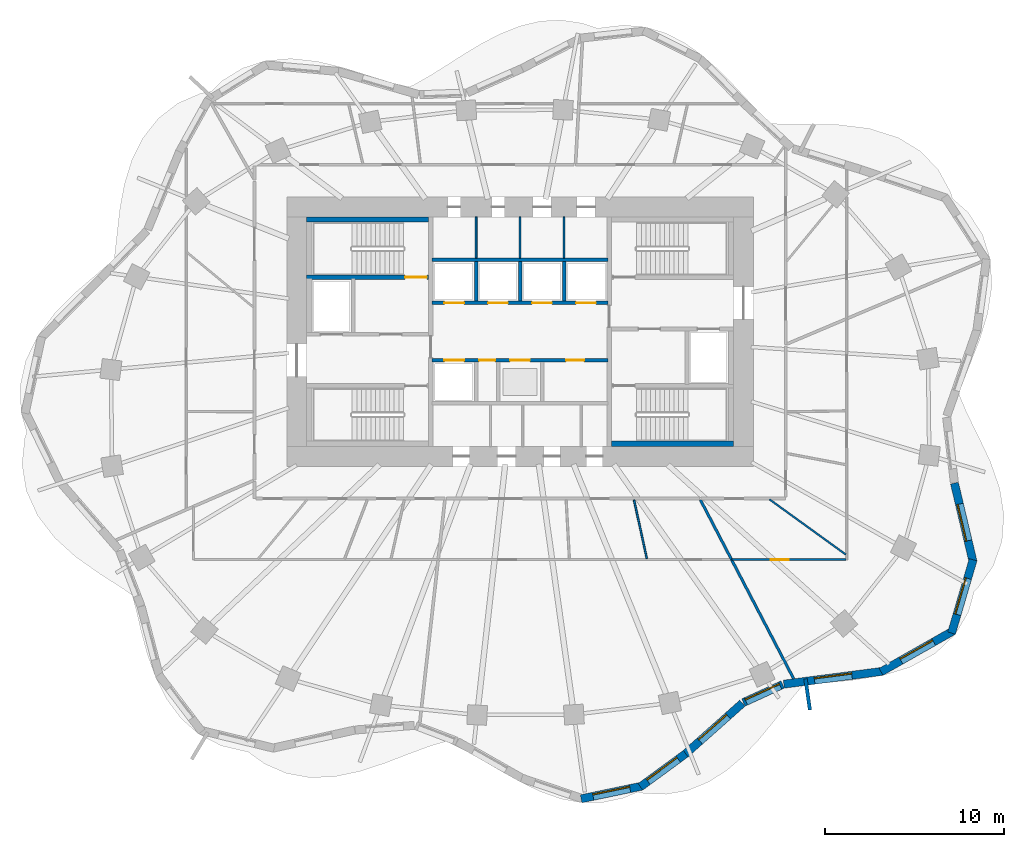
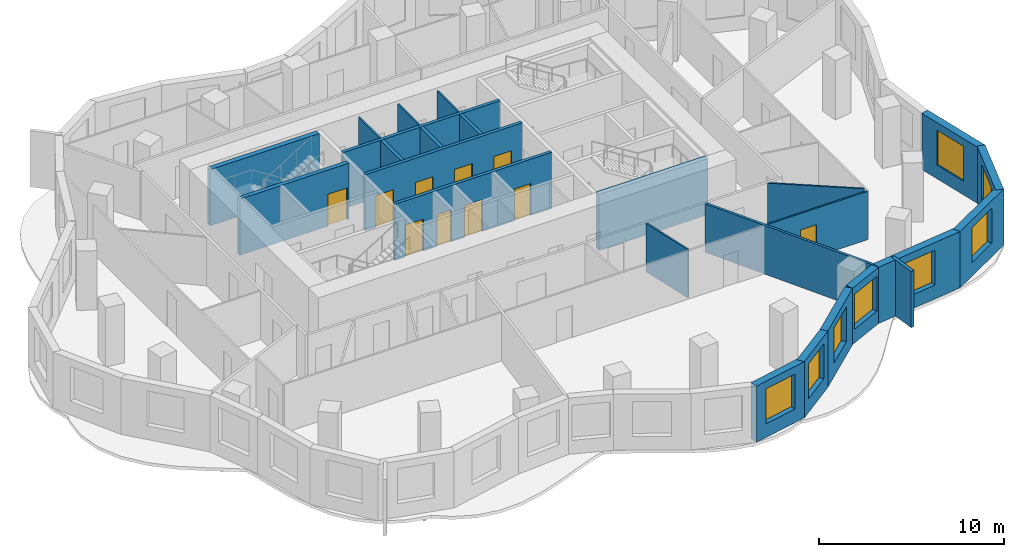
# One storey, part 5 of 10: 25 walls, 10 doors, 8 windows, 18 openings.
"""IFC4 building model written with IfcOpenShell, lengths in metres."""

from ifc_helpers import new_model, si_unit, direction, frame, frame_2d, origin, place, context, subcontext, project, spatial, rectangle, extrude, material, layer, layer_set, type_object, element, fill, save


model = new_model("IFC4")

# Units and contexts
model_context = context("Model", 3, precision=1e-05, world=origin(), true_north=direction((0.0, 1.0)))
body_context = subcontext(model_context, "Body", "Model", "MODEL_VIEW")
ifc_project = project(units=[si_unit("LENGTHUNIT", "METRE"), si_unit("AREAUNIT", "SQUARE_METRE"), si_unit("VOLUMEUNIT", "CUBIC_METRE"), si_unit("PLANEANGLEUNIT", "RADIAN"), si_unit("MASSUNIT", "GRAM", prefix="KILO")], contexts=[model_context])

# Site, building, storey
site_placement = place(None, origin())
site = spatial("IfcSite", under=ifc_project, at=site_placement, CompositionType="ELEMENT")
building_placement = place(site_placement, origin())
building = spatial("IfcBuilding", under=site, at=building_placement, Name="Rubra Terraces Tower", CompositionType="ELEMENT")
storey_placement = place(building_placement, frame((0.0, 0.0, 134.39990234375)))
storey = spatial("IfcBuildingStorey", under=building, at=storey_placement, Name="L32", CompositionType="ELEMENT", Elevation=134.39990234375)

# Wall, opening, window
ifc_material_1 = material(Name="Brick masonry red-brown", Category="masonry")
ifc_layer_1 = layer(ifc_material_1, 0.449951171875)
ifc_layer_set_1 = layer_set([ifc_layer_1], Name="Brick masonry red-brown")
wall_type_1 = type_object("IfcWallType", Name="Brick facade wall 450", PredefinedType="SOLIDWALL", material=ifc_layer_set_1)
wall_1_placement = place(storey_placement, frame((3.39892578125, -21.53173828125, 0.0), z_axis=(0.0, 0.0, 1.0), x_axis=(0.978915912181, 0.204263645512, 0.0)))
wall_1 = element("IfcWall", 1, at=wall_1_placement, inside=storey, type_object=wall_type_1, Name="Facade wall L32 bay 32", PredefinedType="SOLIDWALL", context=body_context, shape_type="SweptSolid", body=[
    extrude(rectangle(XDim=3.466064453125, YDim=0.449951171875, at=frame_2d((1.73291015625, 0.0))), origin(), (0.0, 0.0, 1.0), 3.7001953125),
])
opening_1_placement = place(wall_1_placement, frame((0.68310546875, 0.0, 0.89990234375)))
opening_1 = element("IfcOpeningElement", 2, at=opening_1_placement, cuts=wall_1, Name="Opening W1B", PredefinedType="OPENING", context=body_context, shape_type="SweptSolid", body=[
    extrude(rectangle(XDim=2.10009765625, YDim=2.300048828125, at=frame_2d((1.050048828125, 1.14990234375))), frame((0.0, 0.23486328125, 0.0), z_axis=(0.0, -1.0, 0.0), x_axis=(1.0, 0.0, 0.0)), (0.0, 0.0, 1.0), 0.469970703125),
])
ifc_material_2 = material(Name="Clear glass in aluminium frame", Category="aluminium")
window_type = type_object("IfcWindowType", Name="Fixed deep-set window tall storey 2100 x 2300", PartitioningType="SINGLE_PANEL", PredefinedType="WINDOW", material=ifc_material_2)
window_1_placement = place(opening_1_placement, origin())
window_1 = element("IfcWindow", 3, at=window_1_placement, inside=storey, type_object=window_type, Name="Window L32 bay 32", OverallHeight=2.300048828125, OverallWidth=2.10009765625, PartitioningType="SINGLE_PANEL", PredefinedType="WINDOW", context=body_context, shape_type="SweptSolid", body=[
    extrude(rectangle(XDim=2.10009765625, YDim=2.300048828125, at=frame_2d((1.050048828125, 1.14990234375))), frame((0.0, 0.135009765625, 0.0), z_axis=(0.0, -1.0, 0.0), x_axis=(1.0, 0.0, 0.0)), (0.0, 0.0, 1.0), 0.06005859375),
])
fill(opening_1, window_1)

wall_2_placement = place(storey_placement, frame((6.705078125, -20.8623046875, 0.0), z_axis=(0.0, 0.0, 1.0), x_axis=(0.806921336267, 0.590658917716, 0.0)))
wall_2 = element("IfcWall", 4, at=wall_2_placement, inside=storey, type_object=wall_type_1, Name="Facade wall L32 bay 33", PredefinedType="SOLIDWALL", context=body_context, shape_type="SweptSolid", body=[
    extrude(rectangle(XDim=3.124755859375, YDim=0.449951171875, at=frame_2d((1.5625, 0.0))), origin(), (0.0, 0.0, 1.0), 3.7001953125),
])
opening_2_placement = place(wall_2_placement, frame((0.512451171875, 0.0, 0.89990234375)))
opening_2 = element("IfcOpeningElement", 5, at=opening_2_placement, cuts=wall_2, Name="Opening W1B", PredefinedType="OPENING", context=body_context, shape_type="SweptSolid", body=[
    extrude(rectangle(XDim=2.10009765625, YDim=2.300048828125, at=frame_2d((1.050048828125, 1.14990234375))), frame((0.0, 0.23486328125, 0.0), z_axis=(0.0, -1.0, 0.0), x_axis=(1.0, 0.0, 0.0)), (0.0, 0.0, 1.0), 0.469970703125),
])
window_2_placement = place(opening_2_placement, origin())
window_2 = element("IfcWindow", 6, at=window_2_placement, inside=storey, type_object=window_type, Name="Window L32 bay 33", OverallHeight=2.300048828125, OverallWidth=2.10009765625, PartitioningType="SINGLE_PANEL", PredefinedType="WINDOW", context=body_context, shape_type="SweptSolid", body=[
    extrude(rectangle(XDim=2.10009765625, YDim=2.300048828125, at=frame_2d((1.050048828125, 1.14990234375))), frame((0.0, 0.135009765625, 0.0), z_axis=(0.0, -1.0, 0.0), x_axis=(1.0, 0.0, 0.0)), (0.0, 0.0, 1.0), 0.06005859375),
])
fill(opening_2, window_2)

wall_3_placement = place(storey_placement, frame((9.2099609375, -19.030029296875, 0.0), z_axis=(0.0, 0.0, 1.0), x_axis=(0.747396648191, 0.664378092861, 0.0)))
wall_3 = element("IfcWall", 7, at=wall_3_placement, inside=storey, type_object=wall_type_1, Name="Facade wall L32 bay 34", PredefinedType="SOLIDWALL", context=body_context, shape_type="SweptSolid", body=[
    extrude(rectangle(XDim=4.25244140625, YDim=0.449951171875, at=frame_2d((2.126220703125, 0.0))), origin(), (0.0, 0.0, 1.0), 3.7001953125),
])
opening_3_placement = place(wall_3_placement, frame((1.076171875, 0.0, 0.89990234375)))
opening_3 = element("IfcOpeningElement", 8, at=opening_3_placement, cuts=wall_3, Name="Opening W1B", PredefinedType="OPENING", context=body_context, shape_type="SweptSolid", body=[
    extrude(rectangle(XDim=2.10009765625, YDim=2.300048828125, at=frame_2d((1.050048828125, 1.14990234375))), frame((0.0, 0.23486328125, 0.0), z_axis=(0.0, -1.0, 0.0), x_axis=(1.0, 0.0, 0.0)), (0.0, 0.0, 1.0), 0.469970703125),
])
window_3_placement = place(opening_3_placement, origin())
window_3 = element("IfcWindow", 9, at=window_3_placement, inside=storey, type_object=window_type, Name="Window L32 bay 34", OverallHeight=2.300048828125, OverallWidth=2.10009765625, PartitioningType="SINGLE_PANEL", PredefinedType="WINDOW", context=body_context, shape_type="SweptSolid", body=[
    extrude(rectangle(XDim=2.10009765625, YDim=2.300048828125, at=frame_2d((1.050048828125, 1.14990234375))), frame((0.0, 0.135009765625, 0.0), z_axis=(0.0, -1.0, 0.0), x_axis=(1.0, 0.0, 0.0)), (0.0, 0.0, 1.0), 0.06005859375),
])
fill(opening_3, window_3)

wall_4_placement = place(storey_placement, frame((12.443603515625, -16.168701171875, 0.0), z_axis=(0.0, 0.0, 1.0), x_axis=(0.908468904074, 0.417952449844, 0.0)))
wall_4 = element("IfcWall", 10, at=wall_4_placement, inside=storey, type_object=wall_type_1, Name="Facade wall L32 bay 35", PredefinedType="SOLIDWALL", context=body_context, shape_type="SweptSolid", body=[
    extrude(rectangle(XDim=2.408935546875, YDim=0.449951171875, at=frame_2d((1.20458984375, 0.0))), origin(), (0.0, 0.0, 1.0), 3.7001953125),
])
opening_4_placement = place(wall_4_placement, frame((0.154541015625, 0.0, 0.89990234375)))
opening_4 = element("IfcOpeningElement", 11, at=opening_4_placement, cuts=wall_4, Name="Opening W1B", PredefinedType="OPENING", context=body_context, shape_type="SweptSolid", body=[
    extrude(rectangle(XDim=2.10009765625, YDim=2.300048828125, at=frame_2d((1.050048828125, 1.14990234375))), frame((0.0, 0.23486328125, 0.0), z_axis=(0.0, -1.0, 0.0), x_axis=(1.0, 0.0, 0.0)), (0.0, 0.0, 1.0), 0.469970703125),
])
window_4_placement = place(opening_4_placement, origin())
window_4 = element("IfcWindow", 12, at=window_4_placement, inside=storey, type_object=window_type, Name="Window L32 bay 35", OverallHeight=2.300048828125, OverallWidth=2.10009765625, PartitioningType="SINGLE_PANEL", PredefinedType="WINDOW", context=body_context, shape_type="SweptSolid", body=[
    extrude(rectangle(XDim=2.10009765625, YDim=2.300048828125, at=frame_2d((1.050048828125, 1.14990234375))), frame((0.0, 0.135009765625, 0.0), z_axis=(0.0, -1.0, 0.0), x_axis=(1.0, 0.0, 0.0)), (0.0, 0.0, 1.0), 0.06005859375),
])
fill(opening_4, window_4)

wall_5_placement = place(storey_placement, frame((14.697265625, -15.143310546875, 0.0), z_axis=(0.0, 0.0, 1.0), x_axis=(0.991631798411, 0.129098320597, 0.0)))
wall_5 = element("IfcWall", 13, at=wall_5_placement, inside=storey, type_object=wall_type_1, Name="Facade wall L32 bay 36", PredefinedType="SOLIDWALL", context=body_context, shape_type="SweptSolid", body=[
    extrude(rectangle(XDim=5.546630859375, YDim=0.449951171875, at=frame_2d((2.7734375, 0.0))), origin(), (0.0, 0.0, 1.0), 3.7001953125),
])
opening_5_placement = place(wall_5_placement, frame((1.723388671875, 0.0, 0.89990234375)))
opening_5 = element("IfcOpeningElement", 14, at=opening_5_placement, cuts=wall_5, Name="Opening W1B", PredefinedType="OPENING", context=body_context, shape_type="SweptSolid", body=[
    extrude(rectangle(XDim=2.10009765625, YDim=2.300048828125, at=frame_2d((1.050048828125, 1.14990234375))), frame((0.0, 0.23486328125, 0.0), z_axis=(0.0, -1.0, 0.0), x_axis=(1.0, 0.0, 0.0)), (0.0, 0.0, 1.0), 0.469970703125),
])
window_5_placement = place(opening_5_placement, origin())
window_5 = element("IfcWindow", 15, at=window_5_placement, inside=storey, type_object=window_type, Name="Window L32 bay 36", OverallHeight=2.300048828125, OverallWidth=2.10009765625, PartitioningType="SINGLE_PANEL", PredefinedType="WINDOW", context=body_context, shape_type="SweptSolid", body=[
    extrude(rectangle(XDim=2.10009765625, YDim=2.300048828125, at=frame_2d((1.050048828125, 1.14990234375))), frame((0.0, 0.135009765625, 0.0), z_axis=(0.0, -1.0, 0.0), x_axis=(1.0, 0.0, 0.0)), (0.0, 0.0, 1.0), 0.06005859375),
])
fill(opening_5, window_5)

wall_6_placement = place(storey_placement, frame((20.115478515625, -14.45458984375, 0.0), z_axis=(0.0, 0.0, 1.0), x_axis=(0.869822679286, 0.493364476427, 0.0)))
wall_6 = element("IfcWall", 16, at=wall_6_placement, inside=storey, type_object=wall_type_1, Name="Facade wall L32 bay 37", PredefinedType="SOLIDWALL", context=body_context, shape_type="SweptSolid", body=[
    extrude(rectangle(XDim=4.63818359375, YDim=0.449951171875, at=frame_2d((2.319091796875, 0.0))), origin(), (0.0, 0.0, 1.0), 3.7001953125),
])
opening_6_placement = place(wall_6_placement, frame((1.26904296875, 0.0, 0.89990234375)))
opening_6 = element("IfcOpeningElement", 17, at=opening_6_placement, cuts=wall_6, Name="Opening W1B", PredefinedType="OPENING", context=body_context, shape_type="SweptSolid", body=[
    extrude(rectangle(XDim=2.10009765625, YDim=2.300048828125, at=frame_2d((1.050048828125, 1.14990234375))), frame((0.0, 0.23486328125, 0.0), z_axis=(0.0, -1.0, 0.0), x_axis=(1.0, 0.0, 0.0)), (0.0, 0.0, 1.0), 0.469970703125),
])
window_6_placement = place(opening_6_placement, origin())
window_6 = element("IfcWindow", 18, at=window_6_placement, inside=storey, type_object=window_type, Name="Window L32 bay 37", OverallHeight=2.300048828125, OverallWidth=2.10009765625, PartitioningType="SINGLE_PANEL", PredefinedType="WINDOW", context=body_context, shape_type="SweptSolid", body=[
    extrude(rectangle(XDim=2.10009765625, YDim=2.300048828125, at=frame_2d((1.050048828125, 1.14990234375))), frame((0.0, 0.135009765625, 0.0), z_axis=(0.0, -1.0, 0.0), x_axis=(1.0, 0.0, 0.0)), (0.0, 0.0, 1.0), 0.06005859375),
])
fill(opening_6, window_6)

wall_7_placement = place(storey_placement, frame((24.045166015625, -12.298583984375, 0.0), z_axis=(0.0, 0.0, 1.0), x_axis=(0.281381418228, 0.95959600743, 0.0)))
wall_7 = element("IfcWall", 19, at=wall_7_placement, inside=storey, type_object=wall_type_1, Name="Facade wall L32 bay 38", PredefinedType="SOLIDWALL", context=body_context, shape_type="SweptSolid", body=[
    extrude(rectangle(XDim=4.260986328125, YDim=0.449951171875, at=frame_2d((2.13037109375, 0.0))), origin(), (0.0, 0.0, 1.0), 3.7001953125),
])
opening_7_placement = place(wall_7_placement, frame((1.08056640625, 0.0, 0.89990234375)))
opening_7 = element("IfcOpeningElement", 20, at=opening_7_placement, cuts=wall_7, Name="Opening W1B", PredefinedType="OPENING", context=body_context, shape_type="SweptSolid", body=[
    extrude(rectangle(XDim=2.10009765625, YDim=2.300048828125, at=frame_2d((1.050048828125, 1.14990234375))), frame((0.0, 0.23486328125, 0.0), z_axis=(0.0, -1.0, 0.0), x_axis=(1.0, 0.0, 0.0)), (0.0, 0.0, 1.0), 0.469970703125),
])
window_7_placement = place(opening_7_placement, origin())
window_7 = element("IfcWindow", 21, at=window_7_placement, inside=storey, type_object=window_type, Name="Window L32 bay 38", OverallHeight=2.300048828125, OverallWidth=2.10009765625, PartitioningType="SINGLE_PANEL", PredefinedType="WINDOW", context=body_context, shape_type="SweptSolid", body=[
    extrude(rectangle(XDim=2.10009765625, YDim=2.300048828125, at=frame_2d((1.050048828125, 1.14990234375))), frame((0.0, 0.135009765625, 0.0), z_axis=(0.0, -1.0, 0.0), x_axis=(1.0, 0.0, 0.0)), (0.0, 0.0, 1.0), 0.06005859375),
])
fill(opening_7, window_7)

wall_8_placement = place(storey_placement, frame((25.23974609375, -8.3193359375, 0.0), z_axis=(0.0, 0.0, 1.0), x_axis=(-0.230037604827, 0.973181740666, 0.0)))
wall_8 = element("IfcWall", 22, at=wall_8_placement, inside=storey, type_object=wall_type_1, Name="Facade wall L32 bay 39", PredefinedType="SOLIDWALL", context=body_context, shape_type="SweptSolid", body=[
    extrude(rectangle(XDim=4.497802734375, YDim=0.449951171875, at=frame_2d((2.2490234375, 0.0))), origin(), (0.0, 0.0, 1.0), 3.7001953125),
])
opening_8_placement = place(wall_8_placement, frame((1.198974609375, 0.0, 0.89990234375)))
opening_8 = element("IfcOpeningElement", 23, at=opening_8_placement, cuts=wall_8, Name="Opening W1B", PredefinedType="OPENING", context=body_context, shape_type="SweptSolid", body=[
    extrude(rectangle(XDim=2.10009765625, YDim=2.300048828125, at=frame_2d((1.050048828125, 1.14990234375))), frame((0.0, 0.23486328125, 0.0), z_axis=(0.0, -1.0, 0.0), x_axis=(1.0, 0.0, 0.0)), (0.0, 0.0, 1.0), 0.469970703125),
])
window_8_placement = place(opening_8_placement, origin())
window_8 = element("IfcWindow", 24, at=window_8_placement, inside=storey, type_object=window_type, Name="Window L32 bay 39", OverallHeight=2.300048828125, OverallWidth=2.10009765625, PartitioningType="SINGLE_PANEL", PredefinedType="WINDOW", context=body_context, shape_type="SweptSolid", body=[
    extrude(rectangle(XDim=2.10009765625, YDim=2.300048828125, at=frame_2d((1.050048828125, 1.14990234375))), frame((0.0, 0.135009765625, 0.0), z_axis=(0.0, -1.0, 0.0), x_axis=(1.0, 0.0, 0.0)), (0.0, 0.0, 1.0), 0.06005859375),
])
fill(opening_8, window_8)

# Walls
ifc_layer_2 = layer(ifc_material_1, 0.199951171875)
ifc_layer_set_2 = layer_set([ifc_layer_2], Name="Brick masonry red-brown")
wall_type_2 = type_object("IfcWallType", Name="Brick wind fin 200", PredefinedType="SOLIDWALL", material=ifc_layer_set_2)
wall_9_placement = place(storey_placement, frame((15.905029296875, -14.85009765625, 0.0), z_axis=(0.0, 0.0, 1.0), x_axis=(0.140913490987, -0.990021912918, 0.0)))
element("IfcWall", 25, at=wall_9_placement, inside=storey, type_object=wall_type_2, Name="Wind fin L32 18", PredefinedType="SOLIDWALL", context=body_context, shape_type="SweptSolid", body=[
    extrude(rectangle(XDim=1.75, YDim=0.199951171875, at=frame_2d((0.875, 0.0))), origin(), (0.0, 0.0, 1.0), 3.7001953125),
])
ifc_material_3 = material(Name="Concrete C40", Category="concrete")
ifc_layer_3 = layer(ifc_material_3, 0.300048828125)
ifc_layer_set_3 = layer_set([ifc_layer_3], Name="Concrete C40")
wall_type_3 = type_object("IfcWallType", Name="Core lining wall 300 concrete", PredefinedType="SOLIDWALL", material=ifc_layer_set_3)
for number, where, z_axis, x_axis, name in (
    (26, (-11.89990234375, 10.75, 0.0), (0.0, 0.0, 1.0), (1.0, 0.0, 0.0), "CORE LINING WALL L32"),
    (27, (11.89990234375, -1.75, 0.0), (0.0, 0.0, 1.0), (-1.0, 0.0, 0.0), "CORE LINING WALL L32"),
):
    element("IfcWall", number, at=place(storey_placement, frame(where, z_axis=z_axis, x_axis=x_axis)), inside=storey, type_object=wall_type_3, Name=name, PredefinedType="SOLIDWALL", context=body_context, shape_type="SweptSolid", body=[
        extrude(rectangle(XDim=6.7998046875, YDim=0.300048828125, at=frame_2d((3.39990234375, 0.0))), origin(), (0.0, 0.0, 1.0), 3.7001953125),
    ])

# Wall, openings, doors
ifc_material_4 = material(Name="Concrete C30", Category="concrete")
ifc_layer_4 = layer(ifc_material_4, 0.199951171875)
ifc_layer_set_4 = layer_set([ifc_layer_4], Name="Concrete C30")
wall_type_4 = type_object("IfcWallType", Name="Core wall 200 concrete", PredefinedType="SOLIDWALL", material=ifc_layer_set_4)
wall_10_placement = place(storey_placement, frame((-4.89990234375, 2.89990234375, 0.0), z_axis=(0.0, 0.0, 1.0), x_axis=(1.0, 0.0, 0.0)))
wall_10 = element("IfcWall", 28, at=wall_10_placement, inside=storey, type_object=wall_type_4, Name="LIFT SHAFT WALL L32", PredefinedType="SOLIDWALL", context=body_context, shape_type="SweptSolid", body=[
    extrude(rectangle(XDim=9.7998046875, YDim=0.199951171875, at=frame_2d((4.89990234375, 0.0))), origin(), (0.0, 0.0, 1.0), 3.7001953125),
])
opening_9_placement = place(wall_10_placement, frame((0.675048828125, 0.0, 0.0)))
opening_9 = element("IfcOpeningElement", 29, at=opening_9_placement, cuts=wall_10, Name="Opening L32.C13", PredefinedType="OPENING", context=body_context, shape_type="SweptSolid", body=[
    extrude(rectangle(XDim=1.10009765625, YDim=2.10009765625, at=frame_2d((0.550048828125, 1.050048828125))), frame((0.0, 0.10986328125, 0.0), z_axis=(0.0, -1.0, 0.0), x_axis=(1.0, 0.0, 0.0)), (0.0, 0.0, 1.0), 0.219970703125),
])
opening_10_placement = place(wall_10_placement, frame((2.613037109375, 0.0, 0.0)))
opening_10 = element("IfcOpeningElement", 30, at=opening_10_placement, cuts=wall_10, Name="Opening L32.C14", PredefinedType="OPENING", context=body_context, shape_type="SweptSolid", body=[
    extrude(rectangle(XDim=0.89990234375, YDim=2.10009765625, at=frame_2d((0.449951171875, 1.050048828125))), frame((0.0, 0.10986328125, 0.0), z_axis=(0.0, -1.0, 0.0), x_axis=(1.0, 0.0, 0.0)), (0.0, 0.0, 1.0), 0.219970703125),
])
opening_11_placement = place(wall_10_placement, frame((4.35009765625, 0.0, 0.0)))
opening_11 = element("IfcOpeningElement", 31, at=opening_11_placement, cuts=wall_10, Name="Opening L32.C15", PredefinedType="OPENING", context=body_context, shape_type="SweptSolid", body=[
    extrude(rectangle(XDim=1.10009765625, YDim=2.10009765625, at=frame_2d((0.550048828125, 1.050048828125))), frame((0.0, 0.10986328125, 0.0), z_axis=(0.0, -1.0, 0.0), x_axis=(1.0, 0.0, 0.0)), (0.0, 0.0, 1.0), 0.219970703125),
])
opening_12_placement = place(wall_10_placement, frame((7.462890625, 0.0, 0.0)))
opening_12 = element("IfcOpeningElement", 32, at=opening_12_placement, cuts=wall_10, Name="Opening L32.C16", PredefinedType="OPENING", context=body_context, shape_type="SweptSolid", body=[
    extrude(rectangle(XDim=1.0, YDim=2.10009765625, at=frame_2d((0.5, 1.050048828125))), frame((0.0, 0.10986328125, 0.0), z_axis=(0.0, -1.0, 0.0), x_axis=(1.0, 0.0, 0.0)), (0.0, 0.0, 1.0), 0.219970703125),
])
ifc_material_5 = material(Name="Painted steel", Category="steel")
door_type_1 = type_object("IfcDoorType", Name="Fire door 1000x2100 single", OperationType="NOTDEFINED", PredefinedType="DOOR", material=ifc_material_5)
door_1_placement = place(opening_12_placement, origin())
door_1 = element("IfcDoor", 33, at=door_1_placement, inside=storey, type_object=door_type_1, Name="Guest pantry door", OperationType="SINGLE_SWING_RIGHT", OverallHeight=2.10009765625, OverallWidth=1.0, PredefinedType="DOOR", context=body_context, shape_type="SweptSolid", body=[
    extrude(rectangle(XDim=1.0, YDim=2.10009765625, at=frame_2d((0.5, 1.050048828125))), frame((0.0, 0.02490234375, 0.0), z_axis=(0.0, -1.0, 0.0), x_axis=(1.0, 0.0, 0.0)), (0.0, 0.0, 1.0), 0.050048828125),
])
fill(opening_12, door_1)
door_type_2 = type_object("IfcDoorType", Name="Fire door 900x2100 single", OperationType="NOTDEFINED", PredefinedType="DOOR", material=ifc_material_5)
door_2_placement = place(opening_10_placement, origin())
door_2 = element("IfcDoor", 34, at=door_2_placement, inside=storey, type_object=door_type_2, Name="Cleaner's store door", OperationType="SINGLE_SWING_RIGHT", OverallHeight=2.10009765625, OverallWidth=0.89990234375, PredefinedType="DOOR", context=body_context, shape_type="SweptSolid", body=[
    extrude(rectangle(XDim=0.89990234375, YDim=2.10009765625, at=frame_2d((0.449951171875, 1.050048828125))), frame((0.0, 0.02490234375, 0.0), z_axis=(0.0, -1.0, 0.0), x_axis=(1.0, 0.0, 0.0)), (0.0, 0.0, 1.0), 0.050048828125),
])
fill(opening_10, door_2)
ifc_material_6 = material(Name="Stainless steel", Category="steel")
door_type_3 = type_object("IfcDoorType", Name="Lift landing door 1100x2100", OperationType="NOTDEFINED", PredefinedType="DOOR", material=ifc_material_6)
door_3_placement = place(opening_9_placement, origin())
door_3 = element("IfcDoor", 35, at=door_3_placement, inside=storey, type_object=door_type_3, Name="Landing door HB1", OperationType="SLIDING_TO_RIGHT", OverallHeight=2.10009765625, OverallWidth=1.10009765625, PredefinedType="DOOR", context=body_context, shape_type="SweptSolid", body=[
    extrude(rectangle(XDim=1.10009765625, YDim=2.10009765625, at=frame_2d((0.550048828125, 1.050048828125))), frame((0.0, 0.02490234375, 0.0), z_axis=(0.0, -1.0, 0.0), x_axis=(1.0, 0.0, 0.0)), (0.0, 0.0, 1.0), 0.050048828125),
])
fill(opening_9, door_3)
door_4_placement = place(opening_11_placement, origin())
door_4 = element("IfcDoor", 36, at=door_4_placement, inside=storey, type_object=door_type_3, Name="Landing door HB2", OperationType="SLIDING_TO_LEFT", OverallHeight=2.10009765625, OverallWidth=1.10009765625, PredefinedType="DOOR", context=body_context, shape_type="SweptSolid", body=[
    extrude(rectangle(XDim=1.10009765625, YDim=2.10009765625, at=frame_2d((0.550048828125, 1.050048828125))), frame((0.0, 0.02490234375, 0.0), z_axis=(0.0, -1.0, 0.0), x_axis=(1.0, 0.0, 0.0)), (0.0, 0.0, 1.0), 0.050048828125),
])
fill(opening_11, door_4)

wall_11_placement = place(storey_placement, frame((-4.89990234375, 6.10009765625, 0.0), z_axis=(0.0, 0.0, 1.0), x_axis=(1.0, 0.0, 0.0)))
wall_11 = element("IfcWall", 37, at=wall_11_placement, inside=storey, type_object=wall_type_4, Name="LIFT SHAFT WALL L32", PredefinedType="SOLIDWALL", context=body_context, shape_type="SweptSolid", body=[
    extrude(rectangle(XDim=9.7998046875, YDim=0.199951171875, at=frame_2d((4.89990234375, 0.0))), origin(), (0.0, 0.0, 1.0), 3.7001953125),
])
opening_13_placement = place(wall_11_placement, frame((0.675048828125, 0.0, 0.0)))
opening_13 = element("IfcOpeningElement", 38, at=opening_13_placement, cuts=wall_11, Name="Opening L32.C17", PredefinedType="OPENING", context=body_context, shape_type="SweptSolid", body=[
    extrude(rectangle(XDim=1.10009765625, YDim=2.10009765625, at=frame_2d((0.550048828125, 1.050048828125))), frame((0.0, 0.10986328125, 0.0), z_axis=(0.0, -1.0, 0.0), x_axis=(1.0, 0.0, 0.0)), (0.0, 0.0, 1.0), 0.219970703125),
])
opening_14_placement = place(wall_11_placement, frame((3.125, 0.0, 0.0)))
opening_14 = element("IfcOpeningElement", 39, at=opening_14_placement, cuts=wall_11, Name="Opening L32.C18", PredefinedType="OPENING", context=body_context, shape_type="SweptSolid", body=[
    extrude(rectangle(XDim=1.10009765625, YDim=2.10009765625, at=frame_2d((0.550048828125, 1.050048828125))), frame((0.0, 0.10986328125, 0.0), z_axis=(0.0, -1.0, 0.0), x_axis=(1.0, 0.0, 0.0)), (0.0, 0.0, 1.0), 0.219970703125),
])
opening_15_placement = place(wall_11_placement, frame((5.574951171875, 0.0, 0.0)))
opening_15 = element("IfcOpeningElement", 40, at=opening_15_placement, cuts=wall_11, Name="Opening L32.C19", PredefinedType="OPENING", context=body_context, shape_type="SweptSolid", body=[
    extrude(rectangle(XDim=1.10009765625, YDim=2.10009765625, at=frame_2d((0.550048828125, 1.050048828125))), frame((0.0, 0.10986328125, 0.0), z_axis=(0.0, -1.0, 0.0), x_axis=(1.0, 0.0, 0.0)), (0.0, 0.0, 1.0), 0.219970703125),
])
opening_16_placement = place(wall_11_placement, frame((8.02490234375, 0.0, 0.0)))
opening_16 = element("IfcOpeningElement", 41, at=opening_16_placement, cuts=wall_11, Name="Opening L32.C20", PredefinedType="OPENING", context=body_context, shape_type="SweptSolid", body=[
    extrude(rectangle(XDim=1.10009765625, YDim=2.10009765625, at=frame_2d((0.550048828125, 1.050048828125))), frame((0.0, 0.10986328125, 0.0), z_axis=(0.0, -1.0, 0.0), x_axis=(1.0, 0.0, 0.0)), (0.0, 0.0, 1.0), 0.219970703125),
])
door_5_placement = place(opening_13_placement, origin())
door_5 = element("IfcDoor", 42, at=door_5_placement, inside=storey, type_object=door_type_3, Name="Landing door HB3", OperationType="SLIDING_TO_RIGHT", OverallHeight=2.10009765625, OverallWidth=1.10009765625, PredefinedType="DOOR", context=body_context, shape_type="SweptSolid", body=[
    extrude(rectangle(XDim=1.10009765625, YDim=2.10009765625, at=frame_2d((0.550048828125, 1.050048828125))), frame((0.0, 0.02490234375, 0.0), z_axis=(0.0, -1.0, 0.0), x_axis=(1.0, 0.0, 0.0)), (0.0, 0.0, 1.0), 0.050048828125),
])
fill(opening_13, door_5)
door_6_placement = place(opening_14_placement, origin())
door_6 = element("IfcDoor", 43, at=door_6_placement, inside=storey, type_object=door_type_3, Name="Landing door HB4", OperationType="SLIDING_TO_LEFT", OverallHeight=2.10009765625, OverallWidth=1.10009765625, PredefinedType="DOOR", context=body_context, shape_type="SweptSolid", body=[
    extrude(rectangle(XDim=1.10009765625, YDim=2.10009765625, at=frame_2d((0.550048828125, 1.050048828125))), frame((0.0, 0.02490234375, 0.0), z_axis=(0.0, -1.0, 0.0), x_axis=(1.0, 0.0, 0.0)), (0.0, 0.0, 1.0), 0.050048828125),
])
fill(opening_14, door_6)
door_7_placement = place(opening_15_placement, origin())
door_7 = element("IfcDoor", 44, at=door_7_placement, inside=storey, type_object=door_type_3, Name="Landing door HB5", OperationType="SLIDING_TO_RIGHT", OverallHeight=2.10009765625, OverallWidth=1.10009765625, PredefinedType="DOOR", context=body_context, shape_type="SweptSolid", body=[
    extrude(rectangle(XDim=1.10009765625, YDim=2.10009765625, at=frame_2d((0.550048828125, 1.050048828125))), frame((0.0, 0.02490234375, 0.0), z_axis=(0.0, -1.0, 0.0), x_axis=(1.0, 0.0, 0.0)), (0.0, 0.0, 1.0), 0.050048828125),
])
fill(opening_15, door_7)
door_8_placement = place(opening_16_placement, origin())
door_8 = element("IfcDoor", 45, at=door_8_placement, inside=storey, type_object=door_type_3, Name="Landing door HB6", OperationType="SLIDING_TO_LEFT", OverallHeight=2.10009765625, OverallWidth=1.10009765625, PredefinedType="DOOR", context=body_context, shape_type="SweptSolid", body=[
    extrude(rectangle(XDim=1.10009765625, YDim=2.10009765625, at=frame_2d((0.550048828125, 1.050048828125))), frame((0.0, 0.02490234375, 0.0), z_axis=(0.0, -1.0, 0.0), x_axis=(1.0, 0.0, 0.0)), (0.0, 0.0, 1.0), 0.050048828125),
])
fill(opening_16, door_8)

# Walls
wall_12_placement = place(storey_placement, frame((-4.89990234375, 8.5, 0.0), z_axis=(0.0, 0.0, 1.0), x_axis=(1.0, 0.0, 0.0)))
element("IfcWall", 46, at=wall_12_placement, inside=storey, type_object=wall_type_4, Name="LIFT SHAFT WALL L32", PredefinedType="SOLIDWALL", context=body_context, shape_type="SweptSolid", body=[
    extrude(rectangle(XDim=9.7998046875, YDim=0.199951171875, at=frame_2d((4.89990234375, 0.0))), origin(), (0.0, 0.0, 1.0), 3.7001953125),
])
for number, where, z_axis, x_axis, name in (
    (47, (-2.449951171875, 6.199951171875, 0.0), (0.0, 0.0, 1.0), (0.0, 1.0, 0.0), "LIFT SHAFT WALL L32"),
    (48, (0.0, 6.199951171875, 0.0), (0.0, 0.0, 1.0), (0.0, 1.0, 0.0), "LIFT SHAFT WALL L32"),
    (49, (2.449951171875, 6.199951171875, 0.0), (0.0, 0.0, 1.0), (0.0, 1.0, 0.0), "LIFT SHAFT WALL L32"),
):
    element("IfcWall", number, at=place(storey_placement, frame(where, z_axis=z_axis, x_axis=x_axis)), inside=storey, type_object=wall_type_4, Name=name, PredefinedType="SOLIDWALL", context=body_context, shape_type="SweptSolid", body=[
        extrude(rectangle(XDim=2.199951171875, YDim=0.199951171875, at=frame_2d((1.10009765625, 0.0))), origin(), (0.0, 0.0, 1.0), 3.7001953125),
    ])
ifc_material_7 = material(Name="Plasterboard on steel stud", Category="steel")
ifc_layer_5 = layer(ifc_material_7, 0.10009765625)
ifc_layer_set_5 = layer_set([ifc_layer_5], Name="Plasterboard on steel stud")
wall_type_5 = type_object("IfcWallType", Name="ROOM PARTITION 100", PredefinedType="PARTITIONING", material=ifc_layer_set_5)
wall_13_placement = place(storey_placement, frame((6.349609375, -4.873291015625, 0.0), z_axis=(0.0, 0.0, 1.0), x_axis=(0.213006668545, -0.977050745435, 0.0)))
element("IfcWall", 50, at=wall_13_placement, inside=storey, type_object=wall_type_5, Name="PARTITION", PredefinedType="PARTITIONING", context=body_context, shape_type="SweptSolid", body=[
    extrude(rectangle(XDim=3.354736328125, YDim=0.10009765625, at=frame_2d((1.67724609375, 0.0))), origin(), (0.0, 0.0, 1.0), 3.18408203125),
])

# Wall, opening, door
wall_14_placement = place(storey_placement, frame((18.14990234375, -8.199951171875, 0.0), z_axis=(0.0, 0.0, 1.0), x_axis=(-1.0, 0.0, 0.0)))
wall_14 = element("IfcWall", 51, at=wall_14_placement, inside=storey, type_object=wall_type_5, Name="PARTITION", PredefinedType="PARTITIONING", context=body_context, shape_type="SweptSolid", body=[
    extrude(rectangle(XDim=6.34423828125, YDim=0.10009765625, at=frame_2d((3.172119140625, 0.0))), origin(), (0.0, 0.0, 1.0), 3.18408203125),
])
opening_17_placement = place(wall_14_placement, frame((3.178955078125, 0.0, 0.0)))
opening_17 = element("IfcOpeningElement", 52, at=opening_17_placement, cuts=wall_14, Name="Opening 32-120", PredefinedType="OPENING", context=body_context, shape_type="SweptSolid", body=[
    extrude(rectangle(XDim=1.0, YDim=2.10009765625, at=frame_2d((0.5, 1.050048828125))), frame((0.0, 0.06005859375, 0.0), z_axis=(0.0, -1.0, 0.0), x_axis=(1.0, 0.0, 0.0)), (0.0, 0.0, 1.0), 0.1201171875),
])
ifc_material_8 = material(Name="Painted timber door leaf", Category="wood")
door_type_4 = type_object("IfcDoorType", Name="ROOM DOOR 1000 X 2100", OperationType="SINGLE_SWING_LEFT", PredefinedType="DOOR", material=ifc_material_8)
door_9_placement = place(opening_17_placement, origin())
door_9 = element("IfcDoor", 53, at=door_9_placement, inside=storey, type_object=door_type_4, Name="DOOR 32-120", OperationType="SINGLE_SWING_RIGHT", OverallHeight=2.10009765625, OverallWidth=1.0, PredefinedType="DOOR", context=body_context, shape_type="SweptSolid", body=[
    extrude(rectangle(XDim=1.0, YDim=2.10009765625, at=frame_2d((0.5, 1.050048828125))), frame((0.0, 0.02490234375, 0.0), z_axis=(0.0, -1.0, 0.0), x_axis=(1.0, 0.0, 0.0)), (0.0, 0.0, 1.0), 0.050048828125),
])
fill(opening_17, door_9)

# Walls
wall_15_placement = place(storey_placement, frame((13.896240234375, -4.843994140625, 0.0), z_axis=(0.0, 0.0, 1.0), x_axis=(0.810468668719, -0.585781987624, 0.0)))
element("IfcWall", 54, at=wall_15_placement, inside=storey, type_object=wall_type_5, Name="PARTITION", PredefinedType="PARTITIONING", context=body_context, shape_type="SweptSolid", body=[
    extrude(rectangle(XDim=5.26025390625, YDim=0.10009765625, at=frame_2d((2.630126953125, 0.0))), origin(), (0.0, 0.0, 1.0), 3.18408203125),
])
ifc_layer_6 = layer(ifc_material_7, 0.14990234375)
ifc_layer_set_6 = layer_set([ifc_layer_6], Name="Plasterboard on steel stud")
wall_type_6 = type_object("IfcWallType", Name="ROOM PARTITION 150", PredefinedType="PARTITIONING", material=ifc_layer_set_6)
wall_16_placement = place(storey_placement, frame((15.243896484375, -14.841064453125, 0.0), z_axis=(0.0, 0.0, 1.0), x_axis=(-0.46213645011, 0.88680883029, 0.0)))
element("IfcWall", 55, at=wall_16_placement, inside=storey, type_object=wall_type_6, Name="PARTITION", PredefinedType="PARTITIONING", context=body_context, shape_type="SweptSolid", body=[
    extrude(rectangle(XDim=11.247802734375, YDim=0.14990234375, at=frame_2d((5.6240234375, 0.0))), origin(), (0.0, 0.0, 1.0), 3.197998046875),
])
ifc_material_9 = material(Name="Blockwork", Category="masonry")
ifc_layer_7 = layer(ifc_material_9, 0.10009765625)
ifc_layer_set_7 = layer_set([ifc_layer_7], Name="Blockwork")
wall_type_7 = type_object("IfcWallType", Name="Service partition 100 blockwork", PredefinedType="PARTITIONING", material=ifc_layer_set_7)
for number, where, z_axis, x_axis, name in (
    (56, (-2.449951171875, 8.60009765625, 0.0), (0.0, 0.0, 1.0), (0.0, 1.0, 0.0), "SERVICE ROOM PARTITION L32"),
    (57, (0.0, 8.60009765625, 0.0), (0.0, 0.0, 1.0), (0.0, 1.0, 0.0), "SERVICE ROOM PARTITION L32"),
    (58, (2.449951171875, 8.60009765625, 0.0), (0.0, 0.0, 1.0), (0.0, 1.0, 0.0), "SERVICE ROOM PARTITION L32"),
):
    element("IfcWall", number, at=place(storey_placement, frame(where, z_axis=z_axis, x_axis=x_axis)), inside=storey, type_object=wall_type_7, Name=name, PredefinedType="PARTITIONING", context=body_context, shape_type="SweptSolid", body=[
        extrude(rectangle(XDim=2.2998046875, YDim=0.10009765625, at=frame_2d((1.14990234375, 0.0))), origin(), (0.0, 0.0, 1.0), 3.7001953125),
    ])

# Wall, opening, door
ifc_layer_8 = layer(ifc_material_3, 0.25)
ifc_layer_set_8 = layer_set([ifc_layer_8], Name="Concrete C40")
wall_type_8 = type_object("IfcWallType", Name="Stair enclosure wall 250 concrete", PredefinedType="SOLIDWALL", material=ifc_layer_set_8)
wall_17_placement = place(storey_placement, frame((-11.89990234375, 7.52490234375, 0.0), z_axis=(0.0, 0.0, 1.0), x_axis=(1.0, 0.0, 0.0)))
wall_17 = element("IfcWall", 59, at=wall_17_placement, inside=storey, type_object=wall_type_8, Name="STAIR WALL L32", PredefinedType="SOLIDWALL", context=body_context, shape_type="SweptSolid", body=[
    extrude(rectangle(XDim=6.7998046875, YDim=0.25, at=frame_2d((3.39990234375, 0.0))), origin(), (0.0, 0.0, 1.0), 3.7001953125),
])
opening_18_placement = place(wall_17_placement, frame((5.5, 0.0, 0.0)))
opening_18 = element("IfcOpeningElement", 60, at=opening_18_placement, cuts=wall_17, Name="Opening L32.C09", PredefinedType="OPENING", context=body_context, shape_type="SweptSolid", body=[
    extrude(rectangle(XDim=1.199951171875, YDim=2.10009765625, at=frame_2d((0.60009765625, 1.050048828125))), frame((0.0, 0.135009765625, 0.0), z_axis=(0.0, -1.0, 0.0), x_axis=(1.0, 0.0, 0.0)), (0.0, 0.0, 1.0), 0.27001953125),
])
door_type_5 = type_object("IfcDoorType", Name="Fire door 1200x2100 single", OperationType="NOTDEFINED", PredefinedType="DOOR", material=ifc_material_5)
door_10_placement = place(opening_18_placement, origin())
door_10 = element("IfcDoor", 61, at=door_10_placement, inside=storey, type_object=door_type_5, Name="Stair door S2", OperationType="SINGLE_SWING_LEFT", OverallHeight=2.10009765625, OverallWidth=1.199951171875, PredefinedType="DOOR", context=body_context, shape_type="SweptSolid", body=[
    extrude(rectangle(XDim=1.199951171875, YDim=2.10009765625, at=frame_2d((0.60009765625, 1.050048828125))), frame((0.0, 0.02490234375, 0.0), z_axis=(0.0, -1.0, 0.0), x_axis=(1.0, 0.0, 0.0)), (0.0, 0.0, 1.0), 0.050048828125),
])
fill(opening_18, door_10)

save(model, "model.ifc")
